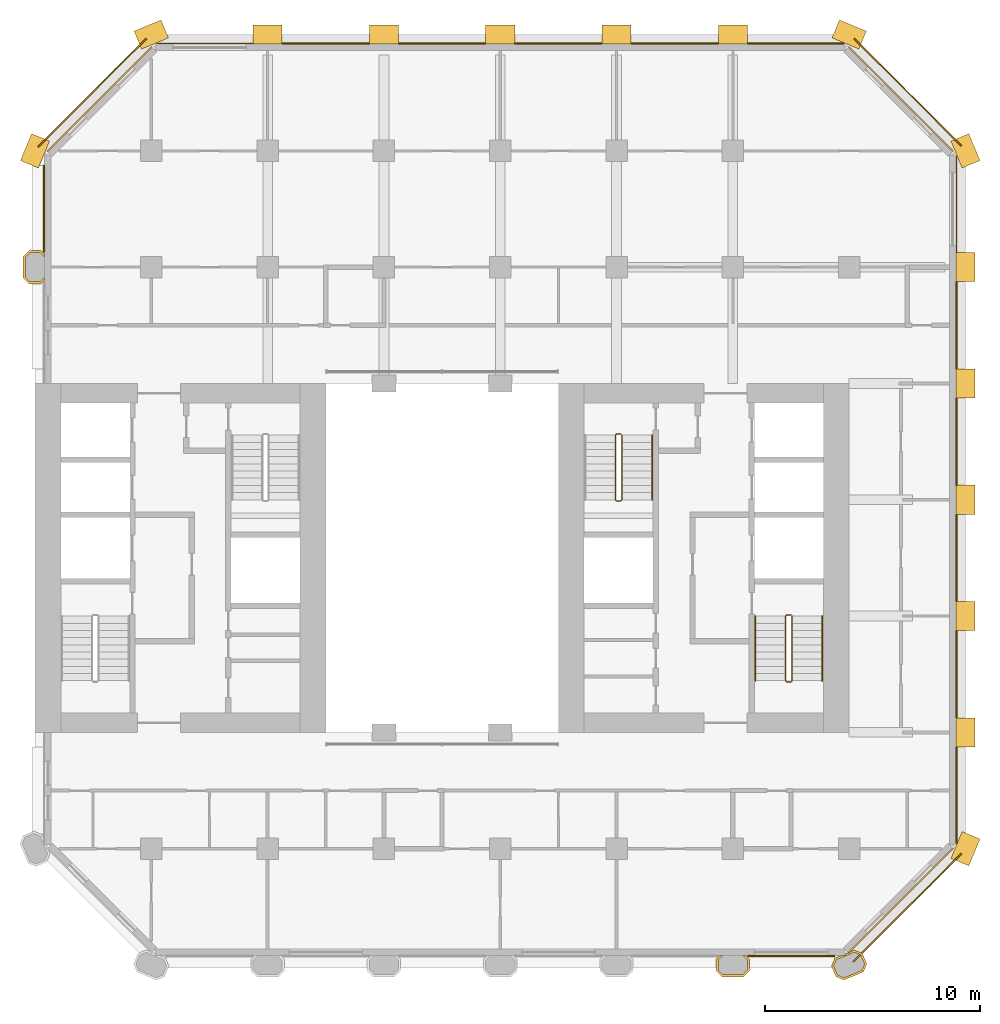
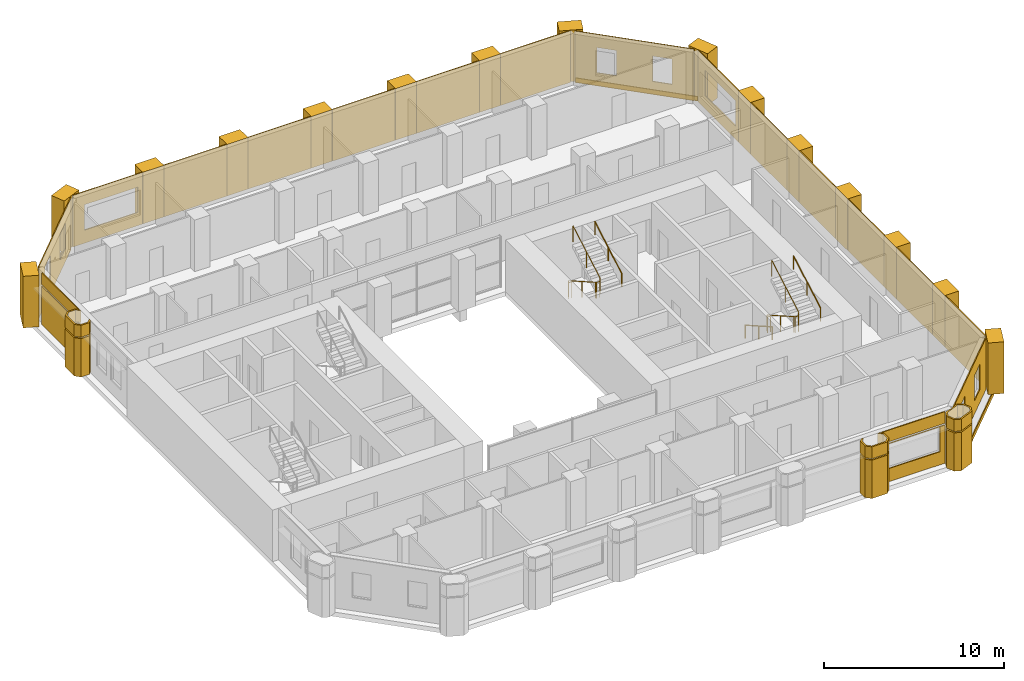
# One storey, part 10 of 10: 43 coverings, 5 railings.
"""IFC4 building model written with IfcOpenShell, lengths in metres."""

from ifc_helpers import new_model, si_unit, direction, frame, frame_2d, origin, origin_2d, place, context, subcontext, project, spatial, polyline, rectangle, circle, outline, extrude, material, layer, layer_set, type_object, element, save


model = new_model("IFC4")

# Units and contexts
model_context = context("Model", 3, precision=1e-05, world=origin(), true_north=direction((0.0, 1.0)))
body_context = subcontext(model_context, "Body", "Model", "MODEL_VIEW")
ifc_project = project(units=[si_unit("LENGTHUNIT", "METRE"), si_unit("AREAUNIT", "SQUARE_METRE"), si_unit("VOLUMEUNIT", "CUBIC_METRE"), si_unit("PLANEANGLEUNIT", "RADIAN"), si_unit("MASSUNIT", "GRAM", prefix="KILO")], contexts=[model_context])

# Site, building, storey
site_placement = place(None, origin())
site = spatial("IfcSite", under=ifc_project, at=site_placement, CompositionType="ELEMENT")
building_placement = place(site_placement, origin())
building = spatial("IfcBuilding", under=site, at=building_placement, Name="Tabaq Tower and Sports Hall", CompositionType="ELEMENT")
storey_placement = place(building_placement, frame((0.0, 0.0, 68.800048828125)))
storey = spatial("IfcBuildingStorey", under=building, at=storey_placement, Name="L15", CompositionType="ELEMENT", Elevation=68.800048828125)

# Coverings
ifc_material_1 = material(Name="Precast concrete C60/75", Category="concrete")
ifc_layer_1 = layer(ifc_material_1, 0.10009765625)
ifc_layer_set_1 = layer_set([ifc_layer_1], Name="Column cladding 100")
covering_type_1 = type_object("IfcCoveringType", Name="Column cladding 100", PredefinedType="CLADDING", material=ifc_layer_set_1)
covering_1_placement = place(storey_placement, origin())
element("IfcCovering", 1, at=covering_1_placement, inside=storey, type_object=covering_type_1, Name="Column cladding L15 PC-2H-O2", PredefinedType="CLADDING", context=body_context, shape_type="SweptSolid", body=[
    extrude(outline(polyline([(5.1337890625, 37.025390625), (4.850341796875, 37.30859375), (4.850341796875, 38.291259765625), (5.1337890625, 38.57470703125), (5.666259765625, 38.57470703125), (5.849609375, 38.391357421875), (5.849609375, 38.250732421875), (5.625244140625, 38.475341796875), (5.1748046875, 38.475341796875), (4.94970703125, 38.250244140625), (4.94970703125, 37.349853515625), (5.1748046875, 37.124755859375), (5.625244140625, 37.124755859375), (5.849609375, 37.349365234375), (5.849609375, 37.208740234375), (5.666259765625, 37.025390625), (5.1337890625, 37.025390625)])), origin(), (0.0, 0.0, 1.0), 2.599853515625),
])
covering_2_placement = place(storey_placement, frame((0.0, 0.0, 2.699951171875)))
element("IfcCovering", 2, at=covering_2_placement, inside=storey, type_object=covering_type_1, Name="Column cladding L15 PC-2H-O2 2", PredefinedType="CLADDING", context=body_context, shape_type="SweptSolid", body=[
    extrude(outline(polyline([(5.1337890625, 37.025390625), (4.850341796875, 37.30859375), (4.850341796875, 38.291259765625), (5.1337890625, 38.57470703125), (5.666259765625, 38.57470703125), (5.849609375, 38.391357421875), (5.849609375, 38.250732421875), (5.625244140625, 38.475341796875), (5.1748046875, 38.475341796875), (4.94970703125, 38.250244140625), (4.94970703125, 37.349853515625), (5.1748046875, 37.124755859375), (5.625244140625, 37.124755859375), (5.849609375, 37.349365234375), (5.849609375, 37.208740234375), (5.666259765625, 37.025390625), (5.1337890625, 37.025390625)])), origin(), (0.0, 0.0, 1.0), 0.800048828125),
])
covering_3_placement = place(storey_placement, origin())
element("IfcCovering", 3, at=covering_3_placement, inside=storey, type_object=covering_type_1, Name="Column cladding L15 PC-8B-O2", PredefinedType="CLADDING", context=body_context, shape_type="SweptSolid", body=[
    extrude(outline(polyline([(37.025390625, 5.666259765625), (37.208740234375, 5.849609375), (37.349365234375, 5.849609375), (37.124755859375, 5.625244140625), (37.124755859375, 5.1748046875), (37.349853515625, 4.94970703125), (38.250244140625, 4.94970703125), (38.475341796875, 5.1748046875), (38.475341796875, 5.625244140625), (38.250732421875, 5.849609375), (38.391357421875, 5.849609375), (38.57470703125, 5.666259765625), (38.57470703125, 5.1337890625), (38.291259765625, 4.850341796875), (37.30859375, 4.850341796875), (37.025390625, 5.1337890625), (37.025390625, 5.666259765625)])), origin(), (0.0, 0.0, 1.0), 2.599853515625),
])
covering_4_placement = place(storey_placement, frame((0.0, 0.0, 2.699951171875)))
element("IfcCovering", 4, at=covering_4_placement, inside=storey, type_object=covering_type_1, Name="Column cladding L15 PC-8B-O2 2", PredefinedType="CLADDING", context=body_context, shape_type="SweptSolid", body=[
    extrude(outline(polyline([(37.025390625, 5.666259765625), (37.208740234375, 5.849609375), (37.349365234375, 5.849609375), (37.124755859375, 5.625244140625), (37.124755859375, 5.1748046875), (37.349853515625, 4.94970703125), (38.250244140625, 4.94970703125), (38.475341796875, 5.1748046875), (38.475341796875, 5.625244140625), (38.250732421875, 5.849609375), (38.391357421875, 5.849609375), (38.57470703125, 5.666259765625), (38.57470703125, 5.1337890625), (38.291259765625, 4.850341796875), (37.30859375, 4.850341796875), (37.025390625, 5.1337890625), (37.025390625, 5.666259765625)])), origin(), (0.0, 0.0, 1.0), 0.800048828125),
])
covering_5_placement = place(storey_placement, origin())
element("IfcCovering", 5, at=covering_5_placement, inside=storey, type_object=covering_type_1, Name="Column cladding L15 PC-9B-O2", PredefinedType="CLADDING", context=body_context, shape_type="SweptSolid", body=[
    extrude(outline(polyline([(42.38232421875, 5.349609375), (42.53564453125, 5.7197265625), (42.84912109375, 5.849609375), (43.013916015625, 5.849609375), (43.013916015625, 5.91796875), (43.16748046875, 5.9814453125), (43.198974609375, 5.9501953125), (43.27490234375, 6.026123046875), (43.443603515625, 6.095947265625), (43.813720703125, 5.9423828125), (44.017578125, 5.450439453125), (43.8642578125, 5.080078125), (42.95654296875, 4.7041015625), (42.586181640625, 4.857421875), (42.38232421875, 5.349609375)]), holes=[polyline([(43.91015625, 5.450439453125), (43.73779296875, 5.866455078125), (43.443603515625, 5.98828125), (42.61181640625, 5.643798828125), (42.489990234375, 5.349609375), (42.662353515625, 4.93359375), (42.95654296875, 4.811767578125), (43.7880859375, 5.15625), (43.91015625, 5.450439453125)])]), origin(), (0.0, 0.0, 1.0), 2.599853515625),
])
covering_6_placement = place(storey_placement, frame((0.0, 0.0, 2.699951171875)))
element("IfcCovering", 6, at=covering_6_placement, inside=storey, type_object=covering_type_1, Name="Column cladding L15 PC-9B-O2 2", PredefinedType="CLADDING", context=body_context, shape_type="SweptSolid", body=[
    extrude(outline(polyline([(42.38232421875, 5.349609375), (42.53564453125, 5.7197265625), (42.84912109375, 5.849609375), (43.013916015625, 5.849609375), (43.013916015625, 5.91796875), (43.16748046875, 5.9814453125), (43.198974609375, 5.9501953125), (43.27490234375, 6.026123046875), (43.443603515625, 6.095947265625), (43.813720703125, 5.9423828125), (44.017578125, 5.450439453125), (43.8642578125, 5.080078125), (42.95654296875, 4.7041015625), (42.586181640625, 4.857421875), (42.38232421875, 5.349609375)]), holes=[polyline([(43.91015625, 5.450439453125), (43.73779296875, 5.866455078125), (43.443603515625, 5.98828125), (42.61181640625, 5.643798828125), (42.489990234375, 5.349609375), (42.662353515625, 4.93359375), (42.95654296875, 4.811767578125), (43.7880859375, 5.15625), (43.91015625, 5.450439453125)])]), origin(), (0.0, 0.0, 1.0), 0.800048828125),
])
ifc_material_2 = material(Name="Precast concrete C60/75", Category="concrete")
ifc_layer_2 = layer(ifc_material_2, 0.06005859375)
ifc_layer_set_2 = layer_set([ifc_layer_2], Name="Edge beam cladding 60")
covering_type_2 = type_object("IfcCoveringType", Name="Edge beam cladding 60", PredefinedType="CLADDING", material=ifc_layer_set_2)
covering_7_placement = place(storey_placement, frame((43.39794921875, 5.5556640625, -0.300048828125), z_axis=(0.0, 0.0, 1.0), x_axis=(0.707124002701, 0.707089559252, 0.0)))
element("IfcCovering", 7, at=covering_7_placement, inside=storey, type_object=covering_type_2, Name="Edge beam cladding L15 1", PredefinedType="CLADDING", context=body_context, shape_type="SweptSolid", body=[
    extrude(rectangle(XDim=7.088134765625, YDim=0.06005859375, at=frame_2d((3.5439453125, 0.0))), origin(), (0.0, 0.0, 1.0), 0.300048828125),
])
covering_8_placement = place(storey_placement, frame((48.41015625, 43.432373046875, -0.300048828125), z_axis=(0.0, 0.0, 1.0), x_axis=(-0.707106781187, 0.707106781187, 0.0)))
element("IfcCovering", 8, at=covering_8_placement, inside=storey, type_object=covering_type_2, Name="Edge beam cladding L15 3", PredefinedType="CLADDING", context=body_context, shape_type="SweptSolid", body=[
    extrude(rectangle(XDim=7.03955078125, YDim=0.06005859375, at=frame_2d((3.519775390625, 0.0))), origin(), (0.0, 0.0, 1.0), 0.300048828125),
])
covering_9_placement = place(storey_placement, frame((10.567626953125, 48.41015625, -0.300048828125), z_axis=(0.0, 0.0, 1.0), x_axis=(-0.707089559252, -0.707124002701, 0.0)))
element("IfcCovering", 9, at=covering_9_placement, inside=storey, type_object=covering_type_2, Name="Edge beam cladding L15 5", PredefinedType="CLADDING", context=body_context, shape_type="SweptSolid", body=[
    extrude(rectangle(XDim=7.088134765625, YDim=0.06005859375, at=frame_2d((3.5439453125, 0.0))), origin(), (0.0, 0.0, 1.0), 0.300048828125),
])
ifc_material_3 = material(Name="White precast concrete C60/75", Category="concrete")
covering_type_3 = type_object("IfcCoveringType", Name="Pier cladding hung 1350x900", PredefinedType="CLADDING", material=ifc_material_3)
for number, where, z_axis, x_axis, name in (
    (10, (5.658203125, 43.82373046875, 0.0), (0.0, 0.0, 1.0), (-0.382649923473, -0.923893411637, 0.0), "Hung pier cladding 1/8"),
    (11, (11.423583984375, 48.8583984375, 0.0), (0.0, 0.0, 1.0), (-0.923893411637, -0.382649923473, 0.0), "Hung pier cladding 2/9"),
    (12, (16.875, 48.60009765625, 0.0), (0.0, 0.0, 1.0), (-1.0, 0.0, 0.0), "Hung pier cladding 3/9"),
):
    element("IfcCovering", number, at=place(storey_placement, frame(where, z_axis=z_axis, x_axis=x_axis)), inside=storey, type_object=covering_type_3, Name=name, PredefinedType="CLADDING", context=body_context, shape_type="SweptSolid", body=[
        extrude(rectangle(XDim=1.35009765625, YDim=0.89990234375, at=frame_2d((0.675048828125, 0.0))), origin(), (0.0, 0.0, 1.0), 3.5),
    ])
covering_10_placement = place(storey_placement, frame((22.27490234375, 48.60009765625, 0.0), z_axis=(0.0, 0.0, 1.0), x_axis=(-1.0, 0.0, 0.0)))
element("IfcCovering", 13, at=covering_10_placement, inside=storey, type_object=covering_type_3, Name="Hung pier cladding 4/9", PredefinedType="CLADDING", context=body_context, shape_type="SweptSolid", body=[
    extrude(rectangle(XDim=1.349853515625, YDim=0.89990234375, at=frame_2d((0.6748046875, 0.0))), origin(), (0.0, 0.0, 1.0), 3.5),
])
covering_11_placement = place(storey_placement, frame((27.675048828125, 48.60009765625, 0.0), z_axis=(0.0, 0.0, 1.0), x_axis=(-1.0, 0.0, 0.0)))
element("IfcCovering", 14, at=covering_11_placement, inside=storey, type_object=covering_type_3, Name="Hung pier cladding 5/9", PredefinedType="CLADDING", context=body_context, shape_type="SweptSolid", body=[
    extrude(rectangle(XDim=1.35009765625, YDim=0.89990234375, at=frame_2d((0.675048828125, 0.0))), origin(), (0.0, 0.0, 1.0), 3.5),
])
covering_12_placement = place(storey_placement, frame((33.074951171875, 48.60009765625, 0.0), z_axis=(0.0, 0.0, 1.0), x_axis=(-1.0, 0.0, 0.0)))
element("IfcCovering", 15, at=covering_12_placement, inside=storey, type_object=covering_type_3, Name="Hung pier cladding 6/9", PredefinedType="CLADDING", context=body_context, shape_type="SweptSolid", body=[
    extrude(rectangle(XDim=1.349853515625, YDim=0.89990234375, at=frame_2d((0.6748046875, 0.0))), origin(), (0.0, 0.0, 1.0), 3.5),
])
for number, where, z_axis, x_axis, name in (
    (16, (38.47509765625, 48.60009765625, 0.0), (0.0, 0.0, 1.0), (-1.0, 0.0, 0.0), "Hung pier cladding 7/9"),
    (17, (43.82373046875, 48.341796875, 0.0), (0.0, 0.0, 1.0), (-0.923893411637, 0.382649923473, 0.0), "Hung pier cladding 8/9"),
    (18, (48.341796875, 10.17626953125, 0.0), (0.0, 0.0, 1.0), (0.382649923473, 0.923893411637, 0.0), "Hung pier cladding 9/2"),
    (19, (48.60009765625, 15.52490234375, 0.0), (0.0, 0.0, 1.0), (0.0, 1.0, 0.0), "Hung pier cladding 9/3"),
):
    element("IfcCovering", number, at=place(storey_placement, frame(where, z_axis=z_axis, x_axis=x_axis)), inside=storey, type_object=covering_type_3, Name=name, PredefinedType="CLADDING", context=body_context, shape_type="SweptSolid", body=[
        extrude(rectangle(XDim=1.35009765625, YDim=0.89990234375, at=frame_2d((0.675048828125, 0.0))), origin(), (0.0, 0.0, 1.0), 3.5),
    ])
covering_13_placement = place(storey_placement, frame((48.60009765625, 20.925048828125, 0.0), z_axis=(0.0, 0.0, 1.0), x_axis=(0.0, 1.0, 0.0)))
element("IfcCovering", 20, at=covering_13_placement, inside=storey, type_object=covering_type_3, Name="Hung pier cladding 9/4", PredefinedType="CLADDING", context=body_context, shape_type="SweptSolid", body=[
    extrude(rectangle(XDim=1.349853515625, YDim=0.89990234375, at=frame_2d((0.6748046875, 0.0))), origin(), (0.0, 0.0, 1.0), 3.5),
])
covering_14_placement = place(storey_placement, frame((48.60009765625, 26.324951171875, 0.0), z_axis=(0.0, 0.0, 1.0), x_axis=(0.0, 1.0, 0.0)))
element("IfcCovering", 21, at=covering_14_placement, inside=storey, type_object=covering_type_3, Name="Hung pier cladding 9/5", PredefinedType="CLADDING", context=body_context, shape_type="SweptSolid", body=[
    extrude(rectangle(XDim=1.35009765625, YDim=0.89990234375, at=frame_2d((0.675048828125, 0.0))), origin(), (0.0, 0.0, 1.0), 3.5),
])
covering_15_placement = place(storey_placement, frame((48.60009765625, 31.72509765625, 0.0), z_axis=(0.0, 0.0, 1.0), x_axis=(0.0, 1.0, 0.0)))
element("IfcCovering", 22, at=covering_15_placement, inside=storey, type_object=covering_type_3, Name="Hung pier cladding 9/6", PredefinedType="CLADDING", context=body_context, shape_type="SweptSolid", body=[
    extrude(rectangle(XDim=1.349853515625, YDim=0.89990234375, at=frame_2d((0.6748046875, 0.0))), origin(), (0.0, 0.0, 1.0), 3.5),
])
for number, where, z_axis, x_axis, name in (
    (23, (48.60009765625, 37.125, 0.0), (0.0, 0.0, 1.0), (0.0, 1.0, 0.0), "Hung pier cladding 9/7"),
    (24, (48.8583984375, 42.576416015625, 0.0), (0.0, 0.0, 1.0), (-0.382649923473, 0.923893411637, 0.0), "Hung pier cladding 9/8"),
):
    element("IfcCovering", number, at=place(storey_placement, frame(where, z_axis=z_axis, x_axis=x_axis)), inside=storey, type_object=covering_type_3, Name=name, PredefinedType="CLADDING", context=body_context, shape_type="SweptSolid", body=[
        extrude(rectangle(XDim=1.35009765625, YDim=0.89990234375, at=frame_2d((0.675048828125, 0.0))), origin(), (0.0, 0.0, 1.0), 3.5),
    ])

# Railings
ifc_material_4 = material(Name="Stainless steel", Category="steel")
railing_type_1 = type_object("IfcRailingType", Name="Stair guard", PredefinedType="GUARDRAIL", material=ifc_material_4)
railing_1_placement = place(storey_placement, frame((40.5, 21.64990234375, 0.0)))
element("IfcRailing", 25, at=railing_1_placement, inside=storey, type_object=railing_type_1, Name="L15 ST3 stair guard 1", PredefinedType="GUARDRAIL", context=body_context, shape_type="SweptSolid", body=[
    extrude(circle(Radius=0.02392578125, at=origin_2d()), frame((0.0, 0.0, 1.076171875), z_axis=(-1.0, 0.0, 0.0), x_axis=(0.0, -1.0, 0.0)), (0.0, 0.0, 1.0), 0.199951171875),
    extrude(circle(Radius=0.02392578125, at=origin_2d()), frame((-0.199951171875, 0.0, 1.076171875), z_axis=(-0.246983470365, -0.245778672949, 0.937332389972), x_axis=(0.705375805398, -0.708833529934, 0.0)), (0.0, 0.0, 1.0), 0.20263671875),
    extrude(circle(Radius=0.02392578125, at=origin_2d()), frame((-0.25, -0.0498046875, 1.26611328125), z_axis=(0.0, -0.868782136927, 0.495194505781), x_axis=(1.0, 0.0, 0.0)), (0.0, 0.0, 1.0), 3.453125),
    extrude(circle(Radius=0.02392578125, at=origin_2d()), frame((-0.25, -3.0498046875, 2.97607421875), z_axis=(0.707106781187, -0.707106781187, 0.0), x_axis=(0.707106781187, 0.707106781187, 0.0)), (0.0, 0.0, 1.0), 0.07080078125),
    extrude(circle(Radius=0.02392578125, at=origin_2d()), frame((-0.199951171875, -3.099853515625, 2.97607421875), z_axis=(1.0, 0.0, 0.0), x_axis=(0.0, 1.0, 0.0)), (0.0, 0.0, 1.0), 0.199951171875),
    extrude(circle(Radius=0.02392578125, at=origin_2d()), frame((0.0, -3.099853515625, 2.97607421875), z_axis=(0.246910188598, 0.246910188598, 0.937054276727), x_axis=(-0.707106781187, 0.707106781187, 0.0)), (0.0, 0.0, 1.0), 0.20263671875),
    extrude(circle(Radius=0.02392578125, at=origin_2d()), frame((0.050048828125, -3.0498046875, 3.166015625), z_axis=(0.0, 0.868751719353, 0.495247867356), x_axis=(-1.0, 0.0, 0.0)), (0.0, 0.0, 1.0), 3.453125),
    extrude(circle(Radius=0.02099609375, at=origin_2d()), origin(), (0.0, 0.0, 1.0), 1.052001953125),
    extrude(circle(Radius=0.02099609375, at=origin_2d()), frame((-0.199951171875, 0.0, 0.0)), (0.0, 0.0, 1.0), 1.052001953125),
    extrude(circle(Radius=0.02099609375, at=origin_2d()), frame((-0.25, -0.0498046875, 0.18994140625)), (0.0, 0.0, 1.0), 1.052001953125),
    extrude(circle(Radius=0.02099609375, at=origin_2d()), frame((-0.25, -1.5498046875, 1.044921875)), (0.0, 0.0, 1.0), 1.052001953125),
    extrude(circle(Radius=0.02099609375, at=origin_2d()), frame((-0.25, -3.0498046875, 1.89990234375)), (0.0, 0.0, 1.0), 1.052001953125),
    extrude(circle(Radius=0.02099609375, at=origin_2d()), frame((-0.199951171875, -3.099853515625, 1.89990234375)), (0.0, 0.0, 1.0), 1.052001953125),
    extrude(circle(Radius=0.02099609375, at=origin_2d()), frame((0.0, -3.099853515625, 1.89990234375)), (0.0, 0.0, 1.0), 1.052001953125),
    extrude(circle(Radius=0.02099609375, at=origin_2d()), frame((0.050048828125, -3.0498046875, 2.08984375)), (0.0, 0.0, 1.0), 1.052001953125),
    extrude(circle(Radius=0.02099609375, at=origin_2d()), frame((0.050048828125, -1.5498046875, 2.94482421875)), (0.0, 0.0, 1.0), 1.052001953125),
    extrude(circle(Radius=0.02099609375, at=origin_2d()), frame((0.050048828125, -0.0498046875, 3.800048828125)), (0.0, 0.0, 1.0), 1.052001953125),
])
railing_2_placement = place(storey_placement, frame((32.60009765625, 30.050048828125, 0.0)))
element("IfcRailing", 26, at=railing_2_placement, inside=storey, type_object=railing_type_1, Name="L15 ST4 stair guard 1", PredefinedType="GUARDRAIL", context=body_context, shape_type="SweptSolid", body=[
    extrude(circle(Radius=0.02392578125, at=origin_2d()), frame((0.0, 0.0, 1.076171875), z_axis=(-1.0, 0.0, 0.0), x_axis=(0.0, -1.0, 0.0)), (0.0, 0.0, 1.0), 0.2001953125),
    extrude(circle(Radius=0.02392578125, at=origin_2d()), frame((-0.2001953125, 0.0, 1.076171875), z_axis=(-0.245778672949, -0.246983470365, 0.937332389972), x_axis=(0.708833529934, -0.705375805398, 0.0)), (0.0, 0.0, 1.0), 0.20263671875),
    extrude(circle(Radius=0.02392578125, at=origin_2d()), frame((-0.25, -0.050048828125, 1.26611328125), z_axis=(0.0, -0.868782136927, 0.495194505781), x_axis=(1.0, 0.0, 0.0)), (0.0, 0.0, 1.0), 3.453125),
    extrude(circle(Radius=0.02392578125, at=origin_2d()), frame((-0.25, -3.050048828125, 2.97607421875), z_axis=(0.705375805398, -0.708833529934, 0.0), x_axis=(0.708833529934, 0.705375805398, 0.0)), (0.0, 0.0, 1.0), 0.070556640625),
    extrude(circle(Radius=0.02392578125, at=origin_2d()), frame((-0.2001953125, -3.10009765625, 2.97607421875), z_axis=(1.0, 0.0, 0.0), x_axis=(0.0, 1.0, 0.0)), (0.0, 0.0, 1.0), 0.2001953125),
    extrude(circle(Radius=0.02392578125, at=origin_2d()), frame((0.0, -3.10009765625, 2.97607421875), z_axis=(0.245778672949, 0.246983470365, 0.937332389972), x_axis=(-0.708833529934, 0.705375805398, 0.0)), (0.0, 0.0, 1.0), 0.20263671875),
    extrude(circle(Radius=0.02392578125, at=origin_2d()), frame((0.0498046875, -3.050048828125, 3.166015625), z_axis=(0.0, 0.868751719353, 0.495247867356), x_axis=(-1.0, 0.0, 0.0)), (0.0, 0.0, 1.0), 3.453125),
    extrude(circle(Radius=0.02099609375, at=origin_2d()), origin(), (0.0, 0.0, 1.0), 1.052001953125),
    extrude(circle(Radius=0.02099609375, at=origin_2d()), frame((-0.2001953125, 0.0, 0.0)), (0.0, 0.0, 1.0), 1.052001953125),
    extrude(circle(Radius=0.02099609375, at=origin_2d()), frame((-0.25, -0.050048828125, 0.18994140625)), (0.0, 0.0, 1.0), 1.052001953125),
    extrude(circle(Radius=0.02099609375, at=origin_2d()), frame((-0.25, -1.550048828125, 1.044921875)), (0.0, 0.0, 1.0), 1.052001953125),
    extrude(circle(Radius=0.02099609375, at=origin_2d()), frame((-0.25, -3.050048828125, 1.89990234375)), (0.0, 0.0, 1.0), 1.052001953125),
    extrude(circle(Radius=0.02099609375, at=origin_2d()), frame((-0.2001953125, -3.10009765625, 1.89990234375)), (0.0, 0.0, 1.0), 1.052001953125),
    extrude(circle(Radius=0.02099609375, at=origin_2d()), frame((0.0, -3.10009765625, 1.89990234375)), (0.0, 0.0, 1.0), 1.052001953125),
    extrude(circle(Radius=0.02099609375, at=origin_2d()), frame((0.0498046875, -3.050048828125, 2.08984375)), (0.0, 0.0, 1.0), 1.052001953125),
    extrude(circle(Radius=0.02099609375, at=origin_2d()), frame((0.0498046875, -1.550048828125, 2.94482421875)), (0.0, 0.0, 1.0), 1.052001953125),
    extrude(circle(Radius=0.02099609375, at=origin_2d()), frame((0.0498046875, -0.050048828125, 3.800048828125)), (0.0, 0.0, 1.0), 1.052001953125),
])
ifc_material_5 = material(Name="Stainless steel", Category="steel")
railing_type_2 = type_object("IfcRailingType", Name="Stair handrail", PredefinedType="HANDRAIL", material=ifc_material_5)
railing_3_placement = place(storey_placement, frame((38.85009765625, 21.60009765625, 0.18994140625)))
element("IfcRailing", 27, at=railing_3_placement, inside=storey, type_object=railing_type_2, Name="L15 ST3 stair handrail 1", PredefinedType="HANDRAIL", context=body_context, shape_type="SweptSolid", body=[
    extrude(circle(Radius=0.02392578125, at=origin_2d()), frame((0.0, 0.0, 0.8759765625), z_axis=(0.0, -0.868782136927, 0.495194505781), x_axis=(1.0, 0.0, 0.0)), (0.0, 0.0, 1.0), 3.453125),
    extrude(circle(Radius=0.02099609375, at=origin_2d()), origin(), (0.0, 0.0, 1.0), 0.851806640625),
    extrude(circle(Radius=0.02099609375, at=origin_2d()), frame((0.0, -1.5, 0.85498046875)), (0.0, 0.0, 1.0), 0.851806640625),
    extrude(circle(Radius=0.02099609375, at=origin_2d()), frame((0.0, -3.0, 1.7099609375)), (0.0, 0.0, 1.0), 0.851806640625),
])
for number, where, name in (
    (28, (41.949951171875, 18.60009765625, 2.08984375), "L15 ST3 stair handrail 2"),
    (29, (34.050048828125, 27.0, 2.08984375), "L15 ST4 stair handrail 2"),
):
    element("IfcRailing", number, at=place(storey_placement, frame(where)), inside=storey, type_object=railing_type_2, Name=name, PredefinedType="HANDRAIL", context=body_context, shape_type="SweptSolid", body=[
        extrude(circle(Radius=0.02392578125, at=origin_2d()), frame((0.0, 0.0, 0.8759765625), z_axis=(0.0, 0.868751719353, 0.495247867356), x_axis=(-1.0, 0.0, 0.0)), (0.0, 0.0, 1.0), 3.453125),
        extrude(circle(Radius=0.02099609375, at=origin_2d()), origin(), (0.0, 0.0, 1.0), 0.851806640625),
        extrude(circle(Radius=0.02099609375, at=origin_2d()), frame((0.0, 1.5, 0.85498046875)), (0.0, 0.0, 1.0), 0.851806640625),
        extrude(circle(Radius=0.02099609375, at=origin_2d()), frame((0.0, 3.0, 1.710205078125)), (0.0, 0.0, 1.0), 0.851806640625),
    ])

# Coverings
ifc_material_6 = material(Name="Precast concrete C60/75", Category="concrete")
ifc_layer_3 = layer(ifc_material_6, 0.06005859375)
ifc_layer_set_3 = layer_set([ifc_layer_3], Name="White precast cladding panel 60 C60/75")
covering_type_4 = type_object("IfcCoveringType", Name="White precast cladding panel 60 C60/75", PredefinedType="CLADDING", material=ifc_layer_set_3)
covering_16_placement = place(storey_placement, frame((38.485107421875, 5.820068359375, 0.0), z_axis=(0.0, 0.0, 1.0), x_axis=(1.0, 0.0, 0.0)))
element("IfcCovering", 30, at=covering_16_placement, inside=storey, type_object=covering_type_4, Name="White precast cladding panel L15 wall00 11", PredefinedType="CLADDING", context=body_context, shape_type="SweptSolid", body=[
    extrude(outline(polyline([(0.0, 0.0), (4.0498046875, 0.0), (4.0498046875, 2.58984375), (0.0, 2.58984375), (0.0, 0.0)]), holes=[polyline([(3.72509765625, 0.889892578125), (0.304931640625, 0.889892578125), (0.304931640625, 2.56005859375), (3.72509765625, 2.56005859375), (3.72509765625, 0.889892578125)])]), frame((0.0, 0.030029296875, 0.0), z_axis=(0.0, -1.0, 0.0), x_axis=(1.0, 0.0, 0.0)), (0.0, 0.0, 1.0), 0.06005859375),
])
covering_17_placement = place(storey_placement, frame((38.485107421875, 5.820068359375, 2.7099609375), z_axis=(0.0, 0.0, 1.0), x_axis=(1.0, 0.0, 0.0)))
element("IfcCovering", 31, at=covering_17_placement, inside=storey, type_object=covering_type_4, Name="White precast cladding panel L15 wall00 12", PredefinedType="CLADDING", context=body_context, shape_type="SweptSolid", body=[
    extrude(rectangle(XDim=4.0498046875, YDim=0.06005859375, at=frame_2d((2.02490234375, 0.0))), origin(), (0.0, 0.0, 1.0), 0.7900390625),
])
covering_18_placement = place(storey_placement, frame((43.177734375, 5.9716796875, 0.0), z_axis=(0.0, 0.0, 1.0), x_axis=(0.707106781187, 0.707106781187, 0.0)))
element("IfcCovering", 32, at=covering_18_placement, inside=storey, type_object=covering_type_4, Name="White precast cladding panel L15 wall01", PredefinedType="CLADDING", context=body_context, shape_type="SweptSolid", body=[
    extrude(outline(polyline([(0.0, 0.0), (6.85986328125, 0.0), (6.85986328125, 3.5), (0.0, 3.5), (0.0, 0.0)]), holes=[polyline([(1.269775390625, 2.60986328125), (2.389892578125, 2.60986328125), (2.389892578125, 0.889892578125), (1.269775390625, 0.889892578125), (1.269775390625, 2.60986328125)]), polyline([(4.4697265625, 2.60986328125), (5.58984375, 2.60986328125), (5.58984375, 0.889892578125), (4.4697265625, 0.889892578125), (4.4697265625, 2.60986328125)])]), frame((0.0, 0.030029296875, 0.0), z_axis=(0.0, -1.0, 0.0), x_axis=(1.0, 0.0, 0.0)), (0.0, 0.0, 1.0), 0.06005859375),
])
covering_19_placement = place(storey_placement, frame((48.179931640625, 11.043212890625, 0.0), z_axis=(0.0, 0.0, 1.0), x_axis=(0.0, 1.0, 0.0)))
element("IfcCovering", 33, at=covering_19_placement, inside=storey, type_object=covering_type_4, Name="White precast cladding panel L15 wall02", PredefinedType="CLADDING", context=body_context, shape_type="SweptSolid", body=[
    extrude(rectangle(XDim=4.4716796875, YDim=0.06005859375, at=frame_2d((2.23583984375, 0.0))), origin(), (0.0, 0.0, 1.0), 3.5),
])
for number, where, z_axis, x_axis, name in (
    (34, (48.179931640625, 16.885009765625, 0.0), (0.0, 0.0, 1.0), (0.0, 1.0, 0.0), "White precast cladding panel L15 wall02 2"),
    (35, (48.179931640625, 22.284912109375, 0.0), (0.0, 0.0, 1.0), (0.0, 1.0, 0.0), "White precast cladding panel L15 wall02 3"),
    (36, (48.179931640625, 27.68505859375, 0.0), (0.0, 0.0, 1.0), (0.0, 1.0, 0.0), "White precast cladding panel L15 wall02 4"),
    (37, (48.179931640625, 33.0849609375, 0.0), (0.0, 0.0, 1.0), (0.0, 1.0, 0.0), "White precast cladding panel L15 wall02 5"),
):
    element("IfcCovering", number, at=place(storey_placement, frame(where, z_axis=z_axis, x_axis=x_axis)), inside=storey, type_object=covering_type_4, Name=name, PredefinedType="CLADDING", context=body_context, shape_type="SweptSolid", body=[
        extrude(rectangle(XDim=4.030029296875, YDim=0.06005859375, at=frame_2d((2.01513671875, 0.0))), origin(), (0.0, 0.0, 1.0), 3.5),
    ])
covering_20_placement = place(storey_placement, frame((48.179931640625, 38.485107421875, 0.0), z_axis=(0.0, 0.0, 1.0), x_axis=(0.0, 1.0, 0.0)))
element("IfcCovering", 38, at=covering_20_placement, inside=storey, type_object=covering_type_4, Name="White precast cladding panel L15 wall02 6", PredefinedType="CLADDING", context=body_context, shape_type="SweptSolid", body=[
    extrude(outline(polyline([(0.0, 0.0), (4.4716796875, 0.0), (4.4716796875, 3.5), (0.0, 3.5), (0.0, 0.0)]), holes=[polyline([(0.304931640625, 0.889892578125), (0.304931640625, 2.60986328125), (3.72509765625, 2.60986328125), (3.72509765625, 0.889892578125), (0.304931640625, 0.889892578125)])]), frame((0.0, 0.030029296875, 0.0), z_axis=(0.0, -1.0, 0.0), x_axis=(1.0, 0.0, 0.0)), (0.0, 0.0, 1.0), 0.06005859375),
])
covering_21_placement = place(storey_placement, frame((48.0283203125, 43.177734375, 0.0), z_axis=(0.0, 0.0, 1.0), x_axis=(-0.707106781187, 0.707106781187, 0.0)))
element("IfcCovering", 39, at=covering_21_placement, inside=storey, type_object=covering_type_4, Name="White precast cladding panel L15 wall03", PredefinedType="CLADDING", context=body_context, shape_type="SweptSolid", body=[
    extrude(outline(polyline([(0.0, 0.0), (6.85986328125, 0.0), (6.85986328125, 3.5), (0.0, 3.5), (0.0, 0.0)]), holes=[polyline([(1.269775390625, 2.60986328125), (2.389892578125, 2.60986328125), (2.389892578125, 0.889892578125), (1.269775390625, 0.889892578125), (1.269775390625, 2.60986328125)]), polyline([(4.4697265625, 2.60986328125), (5.58984375, 2.60986328125), (5.58984375, 0.889892578125), (4.4697265625, 0.889892578125), (4.4697265625, 2.60986328125)])]), frame((0.0, 0.030029296875, 0.0), z_axis=(0.0, -1.0, 0.0), x_axis=(1.0, 0.0, 0.0)), (0.0, 0.0, 1.0), 0.06005859375),
])
covering_22_placement = place(storey_placement, frame((42.956787109375, 48.179931640625, 0.0), z_axis=(0.0, 0.0, 1.0), x_axis=(-1.0, 0.0, 0.0)))
element("IfcCovering", 40, at=covering_22_placement, inside=storey, type_object=covering_type_4, Name="White precast cladding panel L15 wall04", PredefinedType="CLADDING", context=body_context, shape_type="SweptSolid", body=[
    extrude(rectangle(XDim=4.4716796875, YDim=0.06005859375, at=frame_2d((2.23583984375, 0.0))), origin(), (0.0, 0.0, 1.0), 3.5),
])
for number, where, z_axis, x_axis, name in (
    (41, (37.114990234375, 48.179931640625, 0.0), (0.0, 0.0, 1.0), (-1.0, 0.0, 0.0), "White precast cladding panel L15 wall04 2"),
    (42, (31.715087890625, 48.179931640625, 0.0), (0.0, 0.0, 1.0), (-1.0, 0.0, 0.0), "White precast cladding panel L15 wall04 3"),
    (43, (26.31494140625, 48.179931640625, 0.0), (0.0, 0.0, 1.0), (-1.0, 0.0, 0.0), "White precast cladding panel L15 wall04 4"),
    (44, (20.9150390625, 48.179931640625, 0.0), (0.0, 0.0, 1.0), (-1.0, 0.0, 0.0), "White precast cladding panel L15 wall04 5"),
):
    element("IfcCovering", number, at=place(storey_placement, frame(where, z_axis=z_axis, x_axis=x_axis)), inside=storey, type_object=covering_type_4, Name=name, PredefinedType="CLADDING", context=body_context, shape_type="SweptSolid", body=[
        extrude(rectangle(XDim=4.030029296875, YDim=0.06005859375, at=frame_2d((2.01513671875, 0.0))), origin(), (0.0, 0.0, 1.0), 3.5),
    ])
covering_23_placement = place(storey_placement, frame((15.514892578125, 48.179931640625, 0.0), z_axis=(0.0, 0.0, 1.0), x_axis=(-1.0, 0.0, 0.0)))
element("IfcCovering", 45, at=covering_23_placement, inside=storey, type_object=covering_type_4, Name="White precast cladding panel L15 wall04 6", PredefinedType="CLADDING", context=body_context, shape_type="SweptSolid", body=[
    extrude(outline(polyline([(0.0, 0.0), (4.4716796875, 0.0), (4.4716796875, 3.5), (0.0, 3.5), (0.0, 0.0)]), holes=[polyline([(0.304931640625, 0.889892578125), (0.304931640625, 2.60986328125), (3.72509765625, 2.60986328125), (3.72509765625, 0.889892578125), (0.304931640625, 0.889892578125)])]), frame((0.0, 0.030029296875, 0.0), z_axis=(0.0, -1.0, 0.0), x_axis=(1.0, 0.0, 0.0)), (0.0, 0.0, 1.0), 0.06005859375),
])
covering_24_placement = place(storey_placement, frame((10.822265625, 48.0283203125, 0.0), z_axis=(0.0, 0.0, 1.0), x_axis=(-0.707106781187, -0.707106781187, 0.0)))
element("IfcCovering", 46, at=covering_24_placement, inside=storey, type_object=covering_type_4, Name="White precast cladding panel L15 wall05", PredefinedType="CLADDING", context=body_context, shape_type="SweptSolid", body=[
    extrude(outline(polyline([(0.0, 0.0), (6.85986328125, 0.0), (6.85986328125, 3.5), (0.0, 3.5), (0.0, 0.0)]), holes=[polyline([(1.269775390625, 2.60986328125), (2.389892578125, 2.60986328125), (2.389892578125, 0.889892578125), (1.269775390625, 0.889892578125), (1.269775390625, 2.60986328125)]), polyline([(4.4697265625, 2.60986328125), (5.58984375, 2.60986328125), (5.58984375, 0.889892578125), (4.4697265625, 0.889892578125), (4.4697265625, 2.60986328125)])]), frame((0.0, 0.030029296875, 0.0), z_axis=(0.0, -1.0, 0.0), x_axis=(1.0, 0.0, 0.0)), (0.0, 0.0, 1.0), 0.06005859375),
])
covering_25_placement = place(storey_placement, frame((5.820068359375, 42.534912109375, 0.0), z_axis=(0.0, 0.0, 1.0), x_axis=(0.0, -1.0, 0.0)))
element("IfcCovering", 47, at=covering_25_placement, inside=storey, type_object=covering_type_4, Name="White precast cladding panel L15 wall06", PredefinedType="CLADDING", context=body_context, shape_type="SweptSolid", body=[
    extrude(rectangle(XDim=4.0498046875, YDim=0.06005859375, at=frame_2d((2.02490234375, 0.0))), origin(), (0.0, 0.0, 1.0), 2.58984375),
])
covering_26_placement = place(storey_placement, frame((5.820068359375, 42.534912109375, 2.7099609375), z_axis=(0.0, 0.0, 1.0), x_axis=(0.0, -1.0, 0.0)))
element("IfcCovering", 48, at=covering_26_placement, inside=storey, type_object=covering_type_4, Name="White precast cladding panel L15 wall06 2", PredefinedType="CLADDING", context=body_context, shape_type="SweptSolid", body=[
    extrude(rectangle(XDim=4.0498046875, YDim=0.06005859375, at=frame_2d((2.02490234375, 0.0))), origin(), (0.0, 0.0, 1.0), 0.7900390625),
])

save(model, "model.ifc")
